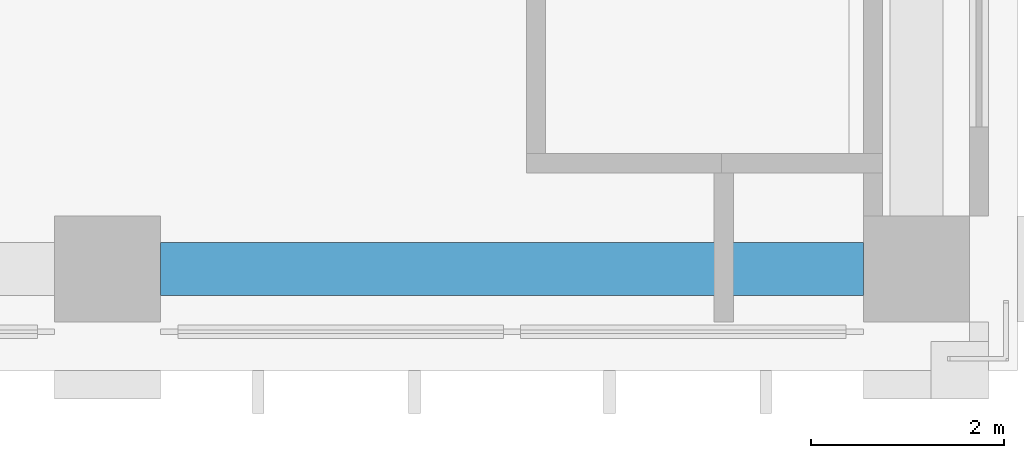
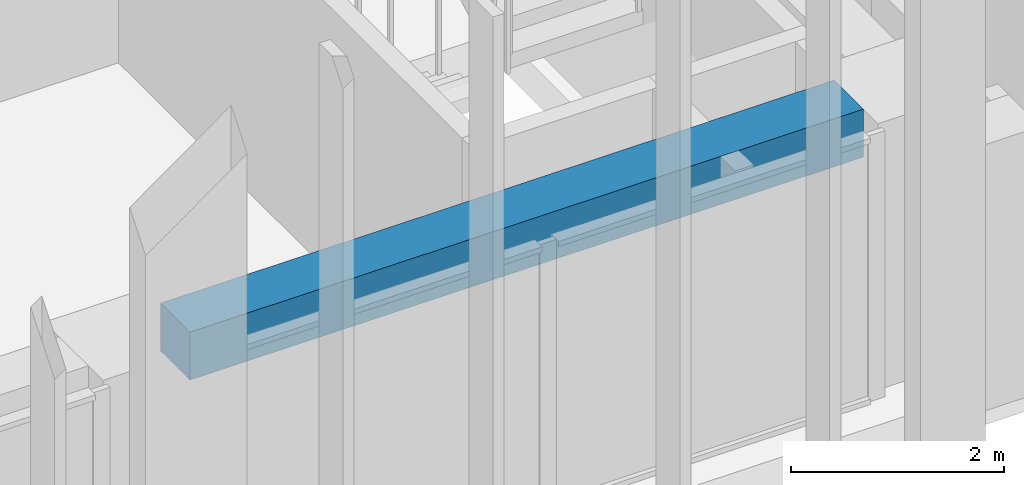
# One storey, part 3 of 16: 1 beam.
"""IFC4 building model written with IfcOpenShell, lengths in metres."""

from ifc_helpers import new_model, si_unit, direction, frame, origin, origin_2d, place, context, subcontext, project, spatial, rectangle, extrude, material, material_profile, profile_set, type_object, element, save


model = new_model("IFC4")

# Units and contexts
model_context = context("Model", 3, precision=1e-05, world=origin(), true_north=direction((0.0, 1.0)))
body_context = subcontext(model_context, "Body", "Model", "MODEL_VIEW")
ifc_project = project(units=[si_unit("LENGTHUNIT", "METRE"), si_unit("AREAUNIT", "SQUARE_METRE"), si_unit("VOLUMEUNIT", "CUBIC_METRE"), si_unit("PLANEANGLEUNIT", "RADIAN"), si_unit("MASSUNIT", "GRAM", prefix="KILO")], contexts=[model_context])

# Site, building, storey
site_placement = place(None, origin())
site = spatial("IfcSite", under=ifc_project, at=site_placement, CompositionType="ELEMENT")
building_placement = place(site_placement, origin())
building = spatial("IfcBuilding", under=site, at=building_placement, Name="Vermilion Ogive Tower", CompositionType="ELEMENT")
storey_placement = place(building_placement, frame((0.0, 0.0, 150.35009765625)))
storey = spatial("IfcBuildingStorey", under=building, at=storey_placement, Name="L38", CompositionType="ELEMENT", Elevation=150.35009765625)

# Beam
ifc_material = material(Name="Concrete B45", Category="concrete")
ifc_material_profile = material_profile(ifc_material, rectangle(XDim=0.550048828125, YDim=0.550048828125, at=origin_2d()), Name="550 x 550")
ifc_profile_set = profile_set([ifc_material_profile], Name="Concrete B45")
beam_type = type_object("IfcBeamType", Name="Edge beam 550 x 550 B45", PredefinedType="BEAM", material=ifc_profile_set)
beam_placement = place(storey_placement, frame((4.75, -21.0, 2.77490234375), z_axis=(1.0, 0.0, 0.0), x_axis=(0.0, 1.0, 0.0)))
element("IfcBeam", 1, at=beam_placement, inside=storey, type_object=beam_type, Name="L38-EB-3", PredefinedType="BEAM", context=body_context, shape_type="SweptSolid", body=[
    extrude(rectangle(XDim=0.550048828125, YDim=0.550048828125, at=origin_2d()), origin(), (0.0, 0.0, 1.0), 7.300048828125),
])

save(model, "model.ifc")
